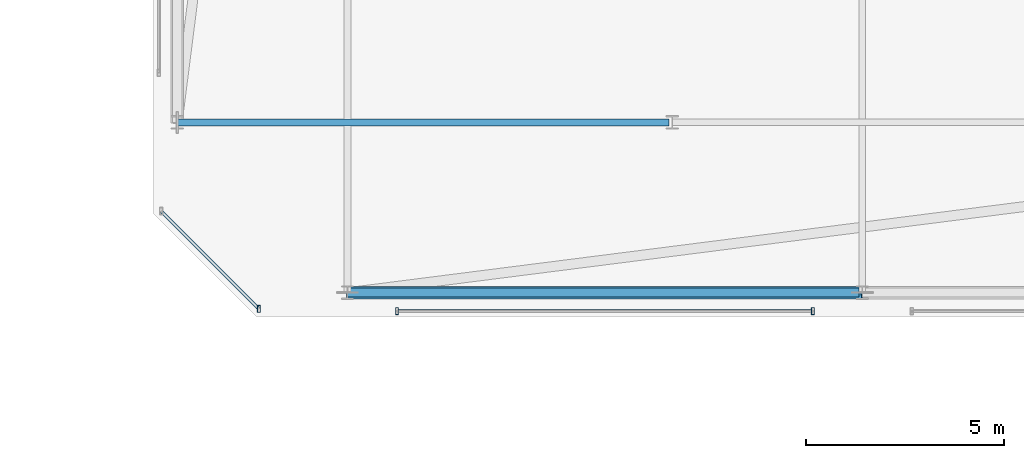
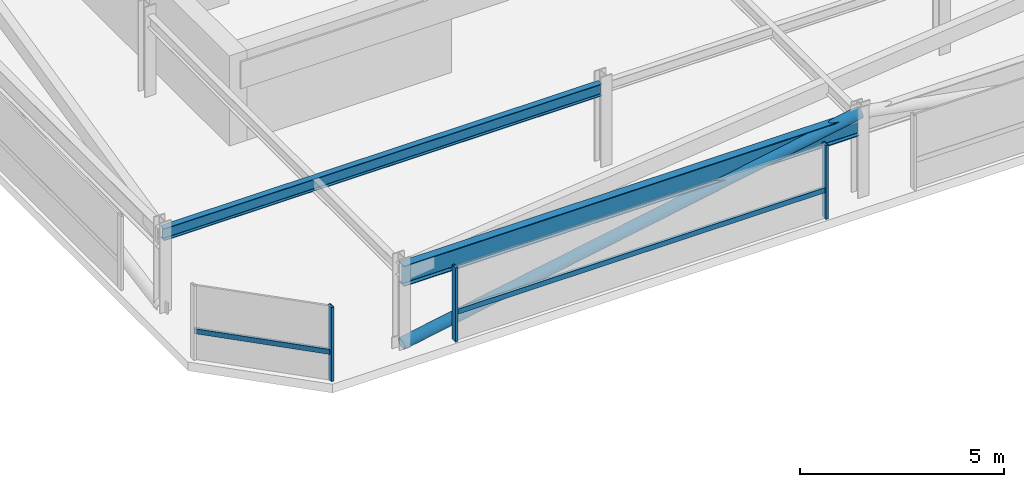
# One storey, part 27 of 42: 6 members, 2 beams, 2 elements without a shape of their own.
"""IFC4 building model written with IfcOpenShell, lengths in metres."""

from ifc_helpers import new_model, si_unit, direction, frame, origin, origin_2d, place, context, subcontext, project, spatial, hollow_rectangle, hollow_circle, i_section, extrude, material, material_profile, profile_set, type_object, element, aggregate, save


model = new_model("IFC4")

# Units and contexts
model_context = context("Model", 3, precision=1e-05, world=origin(), true_north=direction((0.0, 1.0)))
body_context = subcontext(model_context, "Body", "Model", "MODEL_VIEW")
ifc_project = project(units=[si_unit("LENGTHUNIT", "METRE"), si_unit("AREAUNIT", "SQUARE_METRE"), si_unit("VOLUMEUNIT", "CUBIC_METRE"), si_unit("PLANEANGLEUNIT", "RADIAN"), si_unit("MASSUNIT", "GRAM", prefix="KILO")], contexts=[model_context])

# Site, building, storey
site_placement = place(None, origin())
site = spatial("IfcSite", under=ifc_project, at=site_placement, CompositionType="ELEMENT")
building_placement = place(site_placement, origin())
building = spatial("IfcBuilding", under=site, at=building_placement, Name="Thornwick Lancets Civic Towers", CompositionType="ELEMENT")
storey_placement = place(building_placement, frame((0.0, 0.0, 284.10009765625)))
storey = spatial("IfcBuildingStorey", under=building, at=storey_placement, Name="C02", CompositionType="ELEMENT", Elevation=284.10009765625)

# Beams
ifc_material_1 = material(Name="Steel S355JR", Category="steel")
ifc_material_profile_1 = material_profile(ifc_material_1, i_section(OverallWidth=0.230224609375, OverallDepth=0.6171875, WebThickness=0.01318359375, FlangeThickness=0.022216796875, FilletRadius=0.0126953125, at=origin_2d()), Name="UKB 610x229x140")
ifc_profile_set_1 = profile_set([ifc_material_profile_1], Name="Steel S355JR")
beam_type_1 = type_object("IfcBeamType", Name="BM_GIRD_610_140", PredefinedType="BEAM", material=ifc_profile_set_1)
beam_1_placement = place(storey_placement, frame((88.419921875, 9.699951171875, 2.13134765625), z_axis=(-1.0, 0.0, 0.0), x_axis=(0.0, -1.0, 0.0)))
element("IfcBeam", 1, at=beam_1_placement, inside=storey, type_object=beam_type_1, Name="BM-SPINE-C02-B-10-11", PredefinedType="BEAM", context=body_context, shape_type="SweptSolid", body=[
    extrude(i_section(OverallWidth=0.230224609375, OverallDepth=0.6171875, WebThickness=0.01318359375, FlangeThickness=0.022216796875, FilletRadius=0.0126953125, at=origin_2d()), origin(), (0.0, 0.0, 1.0), 12.919921875),
])
ifc_material_profile_2 = material_profile(ifc_material_1, i_section(OverallWidth=0.173095703125, OverallDepth=0.36328125, WebThickness=0.009033203125, FlangeThickness=0.015625, FilletRadius=0.01025390625, at=origin_2d()), Name="UKB 356x171x67")
ifc_profile_set_2 = profile_set([ifc_material_profile_2], Name="Steel S355JR")
beam_type_2 = type_object("IfcBeamType", Name="BM_JOIST_356_67", PredefinedType="JOIST", material=ifc_profile_set_2)
beam_2_placement = place(storey_placement, frame((83.6201171875, 14.0, 2.25830078125), z_axis=(-1.0, 0.0, 0.0), x_axis=(0.0, -1.0, 0.0)))
element("IfcBeam", 2, at=beam_2_placement, inside=storey, type_object=beam_type_2, Name="BM-RADIN-C02-B07", PredefinedType="JOIST", context=body_context, shape_type="SweptSolid", body=[
    extrude(i_section(OverallWidth=0.173095703125, OverallDepth=0.36328125, WebThickness=0.009033203125, FlangeThickness=0.015625, FilletRadius=0.01025390625, at=origin_2d()), origin(), (0.0, 0.0, 1.0), 12.420166015625),
])

# Curtain wall, members
ifc_material_2 = material(Name="Crown ring acoustic-louvre and glazing screen wall", Category="glass")
curtain_wall_type = type_object("IfcCurtainWallType", Name="CW_SYS_07", PredefinedType="NOTDEFINED", material=ifc_material_2)
curtain_wall_1_placement = place(storey_placement, origin())
curtain_wall_1 = element("IfcCurtainWall", 3, at=curtain_wall_1_placement, inside=storey, type_object=curtain_wall_type, Name="C02 Curtain Wall CW-C02-B-E0-S1", PredefinedType="NOTDEFINED")
ifc_material_3 = material(Name="Thermally broken bronze aluminium S355", Category="steel")
ifc_material_profile_3 = material_profile(ifc_material_3, hollow_rectangle(XDim=0.074951171875, YDim=0.179931640625, WallThickness=0.006103515625, at=origin_2d()), Name="RHS 180x75x6")
ifc_profile_set_3 = profile_set([ifc_material_profile_3], Name="Thermally broken bronze aluminium S355")
member_type_1 = type_object("IfcMemberType", Name="CW_MUL_180", PredefinedType="MULLION", material=ifc_profile_set_3)
member_1_placement = place(storey_placement, frame((76.75, 9.2353515625, 0.0), z_axis=(0.0, 0.0, 1.0), x_axis=(1.0, 0.0, 0.0)))
member_1 = element("IfcMember", 4, at=member_1_placement, type_object=member_type_1, Name="CW-C02-B-E0-S1 Mullion 0", PredefinedType="MULLION", context=body_context, shape_type="SweptSolid", body=[
    extrude(hollow_rectangle(XDim=0.074951171875, YDim=0.179931640625, WallThickness=0.006103515625, at=origin_2d()), origin(), (0.0, 0.0, 1.0), 2.219970703125),
])
member_2_placement = place(storey_placement, frame((87.25, 9.2353515625, 0.0), z_axis=(0.0, 0.0, 1.0), x_axis=(1.0, 0.0, 0.0)))
member_2 = element("IfcMember", 5, at=member_2_placement, type_object=member_type_1, Name="CW-C02-B-E0-S1 Mullion 1", PredefinedType="MULLION", context=body_context, shape_type="SweptSolid", body=[
    extrude(hollow_rectangle(XDim=0.074951171875, YDim=0.179931640625, WallThickness=0.006103515625, at=origin_2d()), origin(), (0.0, 0.0, 1.0), 2.219970703125),
])

# Curtain wall, member
curtain_wall_2_placement = place(storey_placement, origin())
curtain_wall_2 = element("IfcCurtainWall", 6, at=curtain_wall_2_placement, inside=storey, type_object=curtain_wall_type, Name="C02 Curtain Wall CW-C02-B-E7", PredefinedType="NOTDEFINED")
member_3_placement = place(storey_placement, frame((73.261962890625, 9.2919921875, 0.0), z_axis=(0.0, 0.0, 1.0), x_axis=(1.0, 0.0, 0.0)))
member_3 = element("IfcMember", 7, at=member_3_placement, type_object=member_type_1, Name="CW-C02-B-E7 Mullion 1", PredefinedType="MULLION", context=body_context, shape_type="SweptSolid", body=[
    extrude(hollow_rectangle(XDim=0.074951171875, YDim=0.179931640625, WallThickness=0.006103515625, at=origin_2d()), origin(), (0.0, 0.0, 1.0), 2.219970703125),
])

# Member
ifc_material_profile_4 = material_profile(ifc_material_3, hollow_rectangle(XDim=0.074951171875, YDim=0.14990234375, WallThickness=0.0048828125, at=origin_2d()), Name="RHS 150x75x5")
ifc_profile_set_4 = profile_set([ifc_material_profile_4], Name="Thermally broken bronze aluminium S355")
member_type_2 = type_object("IfcMemberType", Name="CW_TRN_150", PredefinedType="USERDEFINED", material=ifc_profile_set_4)
member_4_placement = place(storey_placement, frame((76.77001953125, 9.2353515625, 0.849853515625), z_axis=(1.0, 0.0, 0.0), x_axis=(0.0, 1.0, 0.0)))
member_4 = element("IfcMember", 8, at=member_4_placement, type_object=member_type_2, Name="CW-C02-B-E0-S1 Transom 0", ObjectType="TRANSOM", PredefinedType="USERDEFINED", context=body_context, shape_type="SweptSolid", body=[
    extrude(hollow_rectangle(XDim=0.074951171875, YDim=0.14990234375, WallThickness=0.0048828125, at=origin_2d()), origin(), (0.0, 0.0, 1.0), 10.4599609375),
])

aggregate(curtain_wall_1, [member_1, member_2, member_4])

member_5_placement = place(storey_placement, frame((70.80615234375, 11.747802734375, 0.849853515625), z_axis=(0.707106781187, -0.707106781187, 0.0), x_axis=(0.707106781187, 0.707106781187, 0.0)))
member_5 = element("IfcMember", 9, at=member_5_placement, type_object=member_type_2, Name="CW-C02-B-E7 Transom 0", ObjectType="TRANSOM", PredefinedType="USERDEFINED", context=body_context, shape_type="SweptSolid", body=[
    extrude(hollow_rectangle(XDim=0.074951171875, YDim=0.14990234375, WallThickness=0.0048828125, at=origin_2d()), origin(), (0.0, 0.0, 1.0), 3.453125),
])

aggregate(curtain_wall_2, [member_3, member_5])

ifc_material_profile_5 = material_profile(ifc_material_1, hollow_circle(Radius=0.161865234375, WallThickness=0.01611328125, at=origin_2d()), Name="CHS 323.9x16")
ifc_profile_set_5 = profile_set([ifc_material_profile_5], Name="Steel S355JR")
member_type_3 = type_object("IfcMemberType", Name="MEM_CROWN_CHS324", PredefinedType="BRACE", material=ifc_profile_set_5)
member_6_placement = place(storey_placement, frame((75.5, 9.699951171875, 0.0498046875), z_axis=(0.983515136313, 0.0, 0.180825818519), x_axis=(0.0, 1.0, 0.0)))
element("IfcMember", 10, at=member_6_placement, inside=storey, type_object=member_type_3, Name="C02 Crown Ring Lancet Rib B-S3-R", PredefinedType="BRACE", context=body_context, shape_type="SweptSolid", body=[
    extrude(hollow_circle(Radius=0.161865234375, WallThickness=0.01611328125, at=origin_2d()), origin(), (0.0, 0.0, 1.0), 13.2177734375),
])

save(model, "model.ifc")
